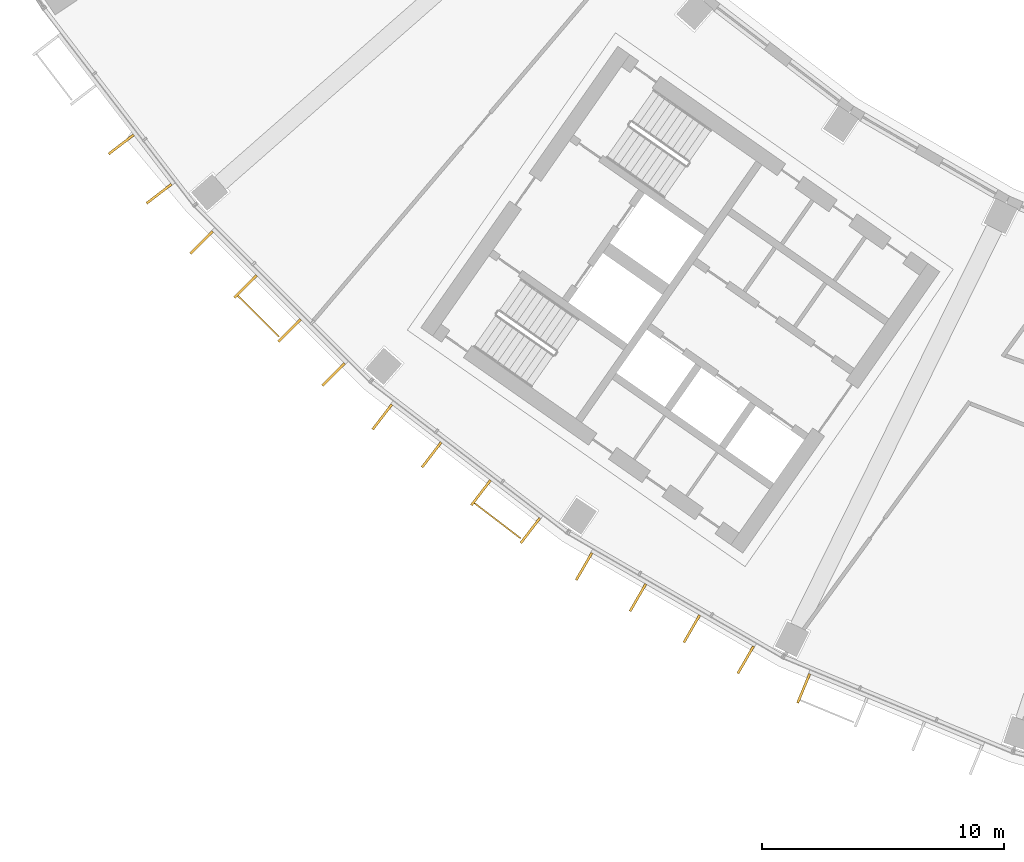
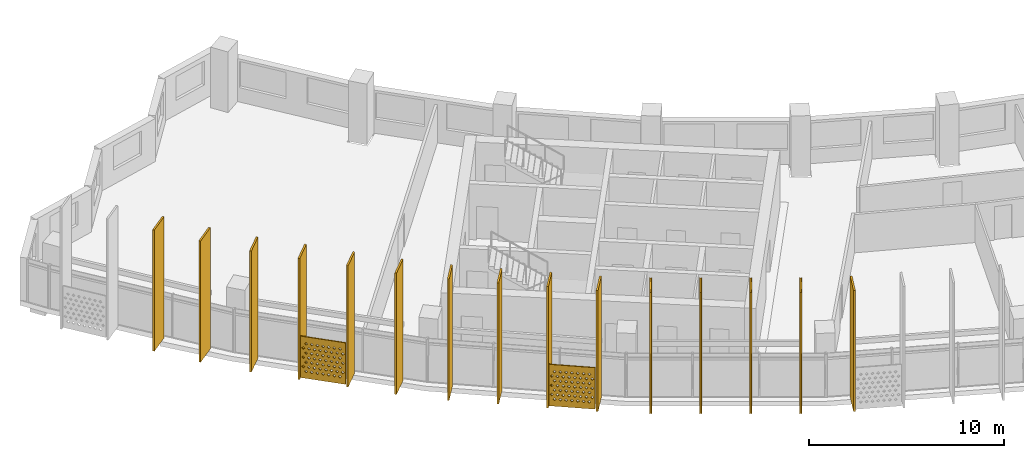
# One storey, part 22 of 30: 17 shading devices.
"""IFC4 building model written with IfcOpenShell, lengths in metres."""

import ifcopenshell
import ifcopenshell.guid

model = None  # the IFC model being written
_history = None  # IfcOwnerHistory: only IFC2X3 demands one
_inside = {}  # id of a spatial element -> (the spatial element, [elements in it])
_under = {}  # id of a project, library or spatial element -> (it, [spatial elements below it])
_declared = {}  # id of a project -> (the project, [libraries it declares])
_typed = {}  # id of a type object -> (the type object, [elements of that type])
_made_of = {}  # id of a material, layer set ... -> (it, [elements and type objects made of it])


def new_model(schema):
    """Start an empty IFC model of exactly this schema.

    Asked for "IFC4X3", IfcOpenShell would pick the latest addendum, in which some entities
    have other attributes; the version numbers below select the first issue.
    IFC2X3 requires an IfcOwnerHistory on every rooted entity: one is made here for all.
    """
    global model, _history
    if schema == "IFC4X3":
        model = ifcopenshell.file(schema_version=(4, 3, 0, 0))
    else:
        model = ifcopenshell.file(schema=schema)
    _inside.clear()
    _under.clear()
    _declared.clear()
    _typed.clear()
    _made_of.clear()
    _history = None
    if model.schema == "IFC2X3":
        org = make("IfcOrganization", Name="unknown")
        user = make(
            "IfcPersonAndOrganization",
            ThePerson=make("IfcPerson", FamilyName="unknown"),
            TheOrganization=org,
        )
        app = make(
            "IfcApplication",
            ApplicationDeveloper=org,
            Version="unknown",
            ApplicationFullName="unknown",
            ApplicationIdentifier="unknown",
        )
        _history = make(
            "IfcOwnerHistory",
            OwningUser=user,
            OwningApplication=app,
            ChangeAction="ADDED",
            CreationDate=0,
        )
    return model


def make(cls, **values):
    """One entity of the class cls with the attributes given. An attribute that is None is left unset."""
    return model.create_entity(
        cls, **{name: value for name, value in values.items() if value is not None}
    )


def rooted(cls, **values):
    """An entity with a GlobalId (a new one), such as an element, a storey or a relation."""
    return make(cls, GlobalId=ifcopenshell.guid.new(), OwnerHistory=_history, **values)


def si_unit(unit_type, name, prefix=None):
    """IfcSIUnit, for example si_unit("LENGTHUNIT", "METRE", prefix="MILLI")."""
    return make("IfcSIUnit", UnitType=unit_type, Prefix=prefix, Name=name)


def assignment(units):
    """IfcUnitAssignment: the units of a project."""
    return None if units is None else make("IfcUnitAssignment", Units=units)


def point(xyz):
    """IfcCartesianPoint."""
    return None if xyz is None else make("IfcCartesianPoint", Coordinates=xyz)


def direction(xyz):
    """IfcDirection."""
    return None if xyz is None else make("IfcDirection", DirectionRatios=xyz)


def frame(location, z_axis=None, x_axis=None):
    """IfcAxis2Placement3D, a coordinate frame: its origin and axes. An axis left out is left unset."""
    return make(
        "IfcAxis2Placement3D",
        Location=point(location),
        Axis=direction(z_axis),
        RefDirection=direction(x_axis),
    )


def frame_2d(location, x_axis=None):
    """IfcAxis2Placement2D, a coordinate frame in the plane: its origin and x axis."""
    return make(
        "IfcAxis2Placement2D", Location=point(location), RefDirection=direction(x_axis)
    )


def origin():
    """The frame at (0, 0, 0) with its axes left unset."""
    return frame((0.0, 0.0, 0.0))


def origin_2d():
    """The frame at (0, 0) in the plane with its x axis left unset."""
    return frame_2d((0.0, 0.0))


def place(relative_to, where):
    """IfcLocalPlacement: puts the frame where relative to a parent placement (None: the world)."""
    return make(
        "IfcLocalPlacement", PlacementRelTo=relative_to, RelativePlacement=where
    )


def context(
    kind, dimensions, precision=None, world=None, true_north=None, identifier=None
):
    """IfcGeometricRepresentationContext, for example the 3D "Model" context."""
    return make(
        "IfcGeometricRepresentationContext",
        ContextIdentifier=identifier,
        ContextType=kind,
        CoordinateSpaceDimension=dimensions,
        Precision=precision,
        WorldCoordinateSystem=world,
        TrueNorth=true_north,
    )


def subcontext(parent, identifier, kind, view, scale=None):
    """IfcGeometricRepresentationSubContext, for example "Body" below "Model"."""
    return make(
        "IfcGeometricRepresentationSubContext",
        ContextIdentifier=identifier,
        ContextType=kind,
        ParentContext=parent,
        TargetScale=scale,
        TargetView=view,
    )


def project(units=None, contexts=None):
    """IfcProject with its units and contexts."""
    return rooted(
        "IfcProject",
        Name="project",
        RepresentationContexts=contexts,
        UnitsInContext=assignment(units),
    )


def spatial(cls, under=None, at=None, **own):
    """A site, building, storey or space (cls), placed at a placement, below another one or the project."""
    s = rooted(cls, ObjectPlacement=at, **own)
    if under is not None:
        _under.setdefault(under.id(), (under, []))[1].append(s)
    return s


def polyline(points):
    """IfcPolyline through the points."""
    return make("IfcPolyline", Points=[point(p) for p in points])


def profile(cls, at=None, kind="AREA", **sizes):
    """A parametric profile (cls). Its sizes go by their IFC names, for example OverallWidth=200.0."""
    return make(cls, ProfileType=kind, Position=at, **sizes)


def rectangle(**sizes):
    """IfcRectangleProfileDef."""
    return profile("IfcRectangleProfileDef", **sizes)


def outline(outer, holes=None, kind="AREA"):
    """IfcArbitraryClosedProfileDef: a profile drawn as a closed curve; with holes, ...WithVoids."""
    if holes is None:
        return make("IfcArbitraryClosedProfileDef", ProfileType=kind, OuterCurve=outer)
    return make(
        "IfcArbitraryProfileDefWithVoids",
        ProfileType=kind,
        OuterCurve=outer,
        InnerCurves=holes,
    )


def extrude(swept, where, along, depth):
    """IfcExtrudedAreaSolid: the profile swept, set in the frame where, extruded along a direction by depth."""
    return make(
        "IfcExtrudedAreaSolid",
        SweptArea=swept,
        Position=where,
        ExtrudedDirection=direction(along),
        Depth=depth,
    )


def shape(context_of_items, identifier, shape_type, items):
    """IfcShapeRepresentation: the items that make up one representation, for example the "Body"."""
    return make(
        "IfcShapeRepresentation",
        ContextOfItems=context_of_items,
        RepresentationIdentifier=identifier,
        RepresentationType=shape_type,
        Items=items,
    )


def material(Name=None, Category=None):
    """IfcMaterial."""
    return make("IfcMaterial", Name=Name, Category=Category)


def material_profile(
    of_material, cross_section, Name=None, Category=None, Priority=None
):
    """IfcMaterialProfile: a cross section and its material."""
    return make(
        "IfcMaterialProfile",
        Name=Name,
        Material=of_material,
        Profile=cross_section,
        Priority=Priority,
        Category=Category,
    )


def profile_set(profiles, Name=None, composite=None):
    """IfcMaterialProfileSet."""
    return make(
        "IfcMaterialProfileSet",
        Name=Name,
        MaterialProfiles=profiles,
        CompositeProfile=composite,
    )


def made_of(thing, what):
    """Note that an element or type object is made of a material, layer set ...; save() writes the relation."""
    if what is not None:
        _made_of.setdefault(what.id(), (what, []))[1].append(thing)
    return thing


def type_object(cls, material=None, **own):
    """A type object (cls), such as IfcWallType, which elements share."""
    return made_of(rooted(cls, **own), material)


def element(
    cls,
    number,
    at=None,
    inside=None,
    cuts=None,
    type_object=None,
    material=None,
    context=None,
    identifier="Body",
    shape_type=None,
    held_by="IfcProductDefinitionShape",
    body=None,
    shapes=None,
    **own,
):
    """One element of the class cls, such as IfcWall. Its Tag is "e" and its number.

    at: its placement. inside: the storey or other place that contains it. cuts: it is an
    opening in that element (IfcRelVoidsElement). A single representation is given by context,
    identifier, shape_type and body (its items); several are given by shapes. held_by: the class
    of the entity that holds the representations. save() writes the other relations.
    """
    e = rooted(cls, Tag="e%d" % number, ObjectPlacement=at, **own)
    if body is not None:
        shapes = [shape(context, identifier, shape_type, body)]
    if shapes is not None:
        e.Representation = make(held_by, Representations=shapes)
    if inside is not None:
        _inside.setdefault(inside.id(), (inside, []))[1].append(e)
    if cuts is not None:
        rooted(
            "IfcRelVoidsElement", RelatingBuildingElement=cuts, RelatedOpeningElement=e
        )
    if type_object is not None:
        _typed.setdefault(type_object.id(), (type_object, []))[1].append(e)
    return made_of(e, material)


def aggregate(whole, parts):
    """IfcRelAggregates: a whole, such as a stair, and the parts it consists of."""
    return rooted("IfcRelAggregates", RelatingObject=whole, RelatedObjects=parts)


def save(model, path):
    """Write the relations noted so far, then the file.

    IfcRelAggregates (storeys below a building ...), IfcRelContainedInSpatialStructure (elements
    in a storey), IfcRelDefinesByType, IfcRelAssociatesMaterial and IfcRelDeclares: one each for
    every whole, place, type object, material and project.
    """
    for whole, parts in _under.values():
        aggregate(whole, parts)
    for where, things in _inside.values():
        rooted(
            "IfcRelContainedInSpatialStructure",
            RelatedElements=things,
            RelatingStructure=where,
        )
    for kind, things in _typed.values():
        rooted("IfcRelDefinesByType", RelatedObjects=things, RelatingType=kind)
    for what, things in _made_of.values():
        rooted("IfcRelAssociatesMaterial", RelatedObjects=things, RelatingMaterial=what)
    for by, libraries in _declared.values():
        rooted("IfcRelDeclares", RelatingContext=by, RelatedDefinitions=libraries)
    model.write(path)


model = new_model("IFC4")

# Units and contexts
model_context = context("Model", 3, precision=1e-05, world=origin(), true_north=direction((0.0, 1.0)))
body_context = subcontext(model_context, "Body", "Model", "MODEL_VIEW")
ifc_project = project(units=[si_unit("LENGTHUNIT", "METRE"), si_unit("AREAUNIT", "SQUARE_METRE"), si_unit("VOLUMEUNIT", "CUBIC_METRE"), si_unit("PLANEANGLEUNIT", "RADIAN"), si_unit("MASSUNIT", "GRAM", prefix="KILO")], contexts=[model_context])

# Site, building, storey
site_placement = place(None, origin())
site = spatial("IfcSite", under=ifc_project, at=site_placement, CompositionType="ELEMENT")
building_placement = place(site_placement, origin())
building = spatial("IfcBuilding", under=site, at=building_placement, Name="Qamariyya Broadcast Tower", CompositionType="ELEMENT")
storey_placement = place(building_placement, frame((0.0, 0.0, 203.699951171875)))
storey = spatial("IfcBuildingStorey", under=building, at=storey_placement, Name="L48", CompositionType="ELEMENT", Elevation=203.699951171875)

# Shading devices
ifc_material_1 = material(Name="Perforated glazed terracotta", Category="masonry")
ifc_material_profile_1 = material_profile(ifc_material_1, outline(polyline([(-1.199951171875, -1.300048828125), (1.199951171875, -1.300048828125), (1.199951171875, 1.300048828125), (-1.199951171875, 1.300048828125), (-1.199951171875, -1.300048828125)]), holes=[polyline([(-0.81494140625, -0.86669921875), (-0.89990234375, -0.78173828125), (-0.985107421875, -0.86669921875), (-0.89990234375, -0.95166015625), (-0.81494140625, -0.86669921875)]), polyline([(-0.514892578125, -0.86669921875), (-0.60009765625, -0.78173828125), (-0.68505859375, -0.86669921875), (-0.60009765625, -0.95166015625), (-0.514892578125, -0.86669921875)]), polyline([(-0.215087890625, -0.86669921875), (-0.300048828125, -0.78173828125), (-0.385009765625, -0.86669921875), (-0.300048828125, -0.95166015625), (-0.215087890625, -0.86669921875)]), polyline([(0.0849609375, -0.86669921875), (0.0, -0.78173828125), (-0.0849609375, -0.86669921875), (0.0, -0.95166015625), (0.0849609375, -0.86669921875)]), polyline([(0.385009765625, -0.86669921875), (0.300048828125, -0.78173828125), (0.215087890625, -0.86669921875), (0.300048828125, -0.95166015625), (0.385009765625, -0.86669921875)]), polyline([(0.68505859375, -0.86669921875), (0.60009765625, -0.78173828125), (0.514892578125, -0.86669921875), (0.60009765625, -0.95166015625), (0.68505859375, -0.86669921875)]), polyline([(0.985107421875, -0.86669921875), (0.89990234375, -0.78173828125), (0.81494140625, -0.86669921875), (0.89990234375, -0.95166015625), (0.985107421875, -0.86669921875)]), polyline([(-0.965087890625, -0.577880859375), (-1.050048828125, -0.49267578125), (-1.135009765625, -0.577880859375), (-1.050048828125, -0.662841796875), (-0.965087890625, -0.577880859375)]), polyline([(-0.6650390625, -0.577880859375), (-0.75, -0.49267578125), (-0.8349609375, -0.577880859375), (-0.75, -0.662841796875), (-0.6650390625, -0.577880859375)]), polyline([(-0.364990234375, -0.577880859375), (-0.449951171875, -0.49267578125), (-0.534912109375, -0.577880859375), (-0.449951171875, -0.662841796875), (-0.364990234375, -0.577880859375)]), polyline([(-0.06494140625, -0.577880859375), (-0.14990234375, -0.49267578125), (-0.235107421875, -0.577880859375), (-0.14990234375, -0.662841796875), (-0.06494140625, -0.577880859375)]), polyline([(0.235107421875, -0.577880859375), (0.14990234375, -0.49267578125), (0.06494140625, -0.577880859375), (0.14990234375, -0.662841796875), (0.235107421875, -0.577880859375)]), polyline([(0.534912109375, -0.577880859375), (0.449951171875, -0.49267578125), (0.364990234375, -0.577880859375), (0.449951171875, -0.662841796875), (0.534912109375, -0.577880859375)]), polyline([(0.8349609375, -0.577880859375), (0.75, -0.49267578125), (0.6650390625, -0.577880859375), (0.75, -0.662841796875), (0.8349609375, -0.577880859375)]), polyline([(1.135009765625, -0.577880859375), (1.050048828125, -0.49267578125), (0.965087890625, -0.577880859375), (1.050048828125, -0.662841796875), (1.135009765625, -0.577880859375)]), polyline([(-0.81494140625, -0.288818359375), (-0.89990234375, -0.203857421875), (-0.985107421875, -0.288818359375), (-0.89990234375, -0.373779296875), (-0.81494140625, -0.288818359375)]), polyline([(-0.514892578125, -0.288818359375), (-0.60009765625, -0.203857421875), (-0.68505859375, -0.288818359375), (-0.60009765625, -0.373779296875), (-0.514892578125, -0.288818359375)]), polyline([(-0.215087890625, -0.288818359375), (-0.300048828125, -0.203857421875), (-0.385009765625, -0.288818359375), (-0.300048828125, -0.373779296875), (-0.215087890625, -0.288818359375)]), polyline([(0.0849609375, -0.288818359375), (0.0, -0.203857421875), (-0.0849609375, -0.288818359375), (0.0, -0.373779296875), (0.0849609375, -0.288818359375)]), polyline([(0.385009765625, -0.288818359375), (0.300048828125, -0.203857421875), (0.215087890625, -0.288818359375), (0.300048828125, -0.373779296875), (0.385009765625, -0.288818359375)]), polyline([(0.68505859375, -0.288818359375), (0.60009765625, -0.203857421875), (0.514892578125, -0.288818359375), (0.60009765625, -0.373779296875), (0.68505859375, -0.288818359375)]), polyline([(0.985107421875, -0.288818359375), (0.89990234375, -0.203857421875), (0.81494140625, -0.288818359375), (0.89990234375, -0.373779296875), (0.985107421875, -0.288818359375)]), polyline([(-0.965087890625, 0.0), (-1.050048828125, 0.0849609375), (-1.135009765625, 0.0), (-1.050048828125, -0.0849609375), (-0.965087890625, 0.0)]), polyline([(-0.6650390625, 0.0), (-0.75, 0.0849609375), (-0.8349609375, 0.0), (-0.75, -0.0849609375), (-0.6650390625, 0.0)]), polyline([(-0.364990234375, 0.0), (-0.449951171875, 0.0849609375), (-0.534912109375, 0.0), (-0.449951171875, -0.0849609375), (-0.364990234375, 0.0)]), polyline([(-0.06494140625, 0.0), (-0.14990234375, 0.0849609375), (-0.235107421875, 0.0), (-0.14990234375, -0.0849609375), (-0.06494140625, 0.0)]), polyline([(0.235107421875, 0.0), (0.14990234375, 0.0849609375), (0.06494140625, 0.0), (0.14990234375, -0.0849609375), (0.235107421875, 0.0)]), polyline([(0.534912109375, 0.0), (0.449951171875, 0.0849609375), (0.364990234375, 0.0), (0.449951171875, -0.0849609375), (0.534912109375, 0.0)]), polyline([(0.8349609375, 0.0), (0.75, 0.0849609375), (0.6650390625, 0.0), (0.75, -0.0849609375), (0.8349609375, 0.0)]), polyline([(1.135009765625, 0.0), (1.050048828125, 0.0849609375), (0.965087890625, 0.0), (1.050048828125, -0.0849609375), (1.135009765625, 0.0)]), polyline([(-0.81494140625, 0.288818359375), (-0.89990234375, 0.373779296875), (-0.985107421875, 0.288818359375), (-0.89990234375, 0.203857421875), (-0.81494140625, 0.288818359375)]), polyline([(-0.514892578125, 0.288818359375), (-0.60009765625, 0.373779296875), (-0.68505859375, 0.288818359375), (-0.60009765625, 0.203857421875), (-0.514892578125, 0.288818359375)]), polyline([(-0.215087890625, 0.288818359375), (-0.300048828125, 0.373779296875), (-0.385009765625, 0.288818359375), (-0.300048828125, 0.203857421875), (-0.215087890625, 0.288818359375)]), polyline([(0.0849609375, 0.288818359375), (0.0, 0.373779296875), (-0.0849609375, 0.288818359375), (0.0, 0.203857421875), (0.0849609375, 0.288818359375)]), polyline([(0.385009765625, 0.288818359375), (0.300048828125, 0.373779296875), (0.215087890625, 0.288818359375), (0.300048828125, 0.203857421875), (0.385009765625, 0.288818359375)]), polyline([(0.68505859375, 0.288818359375), (0.60009765625, 0.373779296875), (0.514892578125, 0.288818359375), (0.60009765625, 0.203857421875), (0.68505859375, 0.288818359375)]), polyline([(0.985107421875, 0.288818359375), (0.89990234375, 0.373779296875), (0.81494140625, 0.288818359375), (0.89990234375, 0.203857421875), (0.985107421875, 0.288818359375)]), polyline([(-0.965087890625, 0.577880859375), (-1.050048828125, 0.662841796875), (-1.135009765625, 0.577880859375), (-1.050048828125, 0.49267578125), (-0.965087890625, 0.577880859375)]), polyline([(-0.6650390625, 0.577880859375), (-0.75, 0.662841796875), (-0.8349609375, 0.577880859375), (-0.75, 0.49267578125), (-0.6650390625, 0.577880859375)]), polyline([(-0.364990234375, 0.577880859375), (-0.449951171875, 0.662841796875), (-0.534912109375, 0.577880859375), (-0.449951171875, 0.49267578125), (-0.364990234375, 0.577880859375)]), polyline([(-0.06494140625, 0.577880859375), (-0.14990234375, 0.662841796875), (-0.235107421875, 0.577880859375), (-0.14990234375, 0.49267578125), (-0.06494140625, 0.577880859375)]), polyline([(0.235107421875, 0.577880859375), (0.14990234375, 0.662841796875), (0.06494140625, 0.577880859375), (0.14990234375, 0.49267578125), (0.235107421875, 0.577880859375)]), polyline([(0.534912109375, 0.577880859375), (0.449951171875, 0.662841796875), (0.364990234375, 0.577880859375), (0.449951171875, 0.49267578125), (0.534912109375, 0.577880859375)]), polyline([(0.8349609375, 0.577880859375), (0.75, 0.662841796875), (0.6650390625, 0.577880859375), (0.75, 0.49267578125), (0.8349609375, 0.577880859375)]), polyline([(1.135009765625, 0.577880859375), (1.050048828125, 0.662841796875), (0.965087890625, 0.577880859375), (1.050048828125, 0.49267578125), (1.135009765625, 0.577880859375)]), polyline([(-0.81494140625, 0.86669921875), (-0.89990234375, 0.95166015625), (-0.985107421875, 0.86669921875), (-0.89990234375, 0.78173828125), (-0.81494140625, 0.86669921875)]), polyline([(-0.514892578125, 0.86669921875), (-0.60009765625, 0.95166015625), (-0.68505859375, 0.86669921875), (-0.60009765625, 0.78173828125), (-0.514892578125, 0.86669921875)]), polyline([(-0.215087890625, 0.86669921875), (-0.300048828125, 0.95166015625), (-0.385009765625, 0.86669921875), (-0.300048828125, 0.78173828125), (-0.215087890625, 0.86669921875)]), polyline([(0.0849609375, 0.86669921875), (0.0, 0.95166015625), (-0.0849609375, 0.86669921875), (0.0, 0.78173828125), (0.0849609375, 0.86669921875)]), polyline([(0.385009765625, 0.86669921875), (0.300048828125, 0.95166015625), (0.215087890625, 0.86669921875), (0.300048828125, 0.78173828125), (0.385009765625, 0.86669921875)]), polyline([(0.68505859375, 0.86669921875), (0.60009765625, 0.95166015625), (0.514892578125, 0.86669921875), (0.60009765625, 0.78173828125), (0.68505859375, 0.86669921875)]), polyline([(0.985107421875, 0.86669921875), (0.89990234375, 0.95166015625), (0.81494140625, 0.86669921875), (0.89990234375, 0.78173828125), (0.985107421875, 0.86669921875)])]))
ifc_profile_set_1 = profile_set([ifc_material_profile_1], Name="Perforated glazed terracotta")
shading_device_type_1 = type_object("IfcShadingDeviceType", Name="Perforated terracotta screen 2400 x 2600", PredefinedType="USERDEFINED", material=ifc_profile_set_1)
shading_device_1_placement = place(storey_placement, frame((-56.41845703125, -56.367431640625, 1.35009765625), z_axis=(-0.705066081692, -0.709141608176, 0.0), x_axis=(0.709141608176, -0.705066081692, 0.0)))
element("IfcShadingDevice", 1, at=shading_device_1_placement, inside=storey, type_object=shading_device_type_1, Name="e-scr-L48-02-1", ObjectType="SCREEN", PredefinedType="USERDEFINED", context=body_context, shape_type="SweptSolid", body=[
    extrude(outline(polyline([(-1.199951171875, -1.300048828125), (1.199951171875, -1.300048828125), (1.199951171875, 1.300048828125), (-1.199951171875, 1.300048828125), (-1.199951171875, -1.300048828125)]), holes=[polyline([(-0.81494140625, -0.86669921875), (-0.89990234375, -0.78173828125), (-0.985107421875, -0.86669921875), (-0.89990234375, -0.95166015625), (-0.81494140625, -0.86669921875)]), polyline([(-0.514892578125, -0.86669921875), (-0.60009765625, -0.78173828125), (-0.68505859375, -0.86669921875), (-0.60009765625, -0.95166015625), (-0.514892578125, -0.86669921875)]), polyline([(-0.215087890625, -0.86669921875), (-0.300048828125, -0.78173828125), (-0.385009765625, -0.86669921875), (-0.300048828125, -0.95166015625), (-0.215087890625, -0.86669921875)]), polyline([(0.0849609375, -0.86669921875), (0.0, -0.78173828125), (-0.0849609375, -0.86669921875), (0.0, -0.95166015625), (0.0849609375, -0.86669921875)]), polyline([(0.385009765625, -0.86669921875), (0.300048828125, -0.78173828125), (0.215087890625, -0.86669921875), (0.300048828125, -0.95166015625), (0.385009765625, -0.86669921875)]), polyline([(0.68505859375, -0.86669921875), (0.60009765625, -0.78173828125), (0.514892578125, -0.86669921875), (0.60009765625, -0.95166015625), (0.68505859375, -0.86669921875)]), polyline([(0.985107421875, -0.86669921875), (0.89990234375, -0.78173828125), (0.81494140625, -0.86669921875), (0.89990234375, -0.95166015625), (0.985107421875, -0.86669921875)]), polyline([(-0.965087890625, -0.577880859375), (-1.050048828125, -0.49267578125), (-1.135009765625, -0.577880859375), (-1.050048828125, -0.662841796875), (-0.965087890625, -0.577880859375)]), polyline([(-0.6650390625, -0.577880859375), (-0.75, -0.49267578125), (-0.8349609375, -0.577880859375), (-0.75, -0.662841796875), (-0.6650390625, -0.577880859375)]), polyline([(-0.364990234375, -0.577880859375), (-0.449951171875, -0.49267578125), (-0.534912109375, -0.577880859375), (-0.449951171875, -0.662841796875), (-0.364990234375, -0.577880859375)]), polyline([(-0.06494140625, -0.577880859375), (-0.14990234375, -0.49267578125), (-0.235107421875, -0.577880859375), (-0.14990234375, -0.662841796875), (-0.06494140625, -0.577880859375)]), polyline([(0.235107421875, -0.577880859375), (0.14990234375, -0.49267578125), (0.06494140625, -0.577880859375), (0.14990234375, -0.662841796875), (0.235107421875, -0.577880859375)]), polyline([(0.534912109375, -0.577880859375), (0.449951171875, -0.49267578125), (0.364990234375, -0.577880859375), (0.449951171875, -0.662841796875), (0.534912109375, -0.577880859375)]), polyline([(0.8349609375, -0.577880859375), (0.75, -0.49267578125), (0.6650390625, -0.577880859375), (0.75, -0.662841796875), (0.8349609375, -0.577880859375)]), polyline([(1.135009765625, -0.577880859375), (1.050048828125, -0.49267578125), (0.965087890625, -0.577880859375), (1.050048828125, -0.662841796875), (1.135009765625, -0.577880859375)]), polyline([(-0.81494140625, -0.288818359375), (-0.89990234375, -0.203857421875), (-0.985107421875, -0.288818359375), (-0.89990234375, -0.373779296875), (-0.81494140625, -0.288818359375)]), polyline([(-0.514892578125, -0.288818359375), (-0.60009765625, -0.203857421875), (-0.68505859375, -0.288818359375), (-0.60009765625, -0.373779296875), (-0.514892578125, -0.288818359375)]), polyline([(-0.215087890625, -0.288818359375), (-0.300048828125, -0.203857421875), (-0.385009765625, -0.288818359375), (-0.300048828125, -0.373779296875), (-0.215087890625, -0.288818359375)]), polyline([(0.0849609375, -0.288818359375), (0.0, -0.203857421875), (-0.0849609375, -0.288818359375), (0.0, -0.373779296875), (0.0849609375, -0.288818359375)]), polyline([(0.385009765625, -0.288818359375), (0.300048828125, -0.203857421875), (0.215087890625, -0.288818359375), (0.300048828125, -0.373779296875), (0.385009765625, -0.288818359375)]), polyline([(0.68505859375, -0.288818359375), (0.60009765625, -0.203857421875), (0.514892578125, -0.288818359375), (0.60009765625, -0.373779296875), (0.68505859375, -0.288818359375)]), polyline([(0.985107421875, -0.288818359375), (0.89990234375, -0.203857421875), (0.81494140625, -0.288818359375), (0.89990234375, -0.373779296875), (0.985107421875, -0.288818359375)]), polyline([(-0.965087890625, 0.0), (-1.050048828125, 0.0849609375), (-1.135009765625, 0.0), (-1.050048828125, -0.0849609375), (-0.965087890625, 0.0)]), polyline([(-0.6650390625, 0.0), (-0.75, 0.0849609375), (-0.8349609375, 0.0), (-0.75, -0.0849609375), (-0.6650390625, 0.0)]), polyline([(-0.364990234375, 0.0), (-0.449951171875, 0.0849609375), (-0.534912109375, 0.0), (-0.449951171875, -0.0849609375), (-0.364990234375, 0.0)]), polyline([(-0.06494140625, 0.0), (-0.14990234375, 0.0849609375), (-0.235107421875, 0.0), (-0.14990234375, -0.0849609375), (-0.06494140625, 0.0)]), polyline([(0.235107421875, 0.0), (0.14990234375, 0.0849609375), (0.06494140625, 0.0), (0.14990234375, -0.0849609375), (0.235107421875, 0.0)]), polyline([(0.534912109375, 0.0), (0.449951171875, 0.0849609375), (0.364990234375, 0.0), (0.449951171875, -0.0849609375), (0.534912109375, 0.0)]), polyline([(0.8349609375, 0.0), (0.75, 0.0849609375), (0.6650390625, 0.0), (0.75, -0.0849609375), (0.8349609375, 0.0)]), polyline([(1.135009765625, 0.0), (1.050048828125, 0.0849609375), (0.965087890625, 0.0), (1.050048828125, -0.0849609375), (1.135009765625, 0.0)]), polyline([(-0.81494140625, 0.288818359375), (-0.89990234375, 0.373779296875), (-0.985107421875, 0.288818359375), (-0.89990234375, 0.203857421875), (-0.81494140625, 0.288818359375)]), polyline([(-0.514892578125, 0.288818359375), (-0.60009765625, 0.373779296875), (-0.68505859375, 0.288818359375), (-0.60009765625, 0.203857421875), (-0.514892578125, 0.288818359375)]), polyline([(-0.215087890625, 0.288818359375), (-0.300048828125, 0.373779296875), (-0.385009765625, 0.288818359375), (-0.300048828125, 0.203857421875), (-0.215087890625, 0.288818359375)]), polyline([(0.0849609375, 0.288818359375), (0.0, 0.373779296875), (-0.0849609375, 0.288818359375), (0.0, 0.203857421875), (0.0849609375, 0.288818359375)]), polyline([(0.385009765625, 0.288818359375), (0.300048828125, 0.373779296875), (0.215087890625, 0.288818359375), (0.300048828125, 0.203857421875), (0.385009765625, 0.288818359375)]), polyline([(0.68505859375, 0.288818359375), (0.60009765625, 0.373779296875), (0.514892578125, 0.288818359375), (0.60009765625, 0.203857421875), (0.68505859375, 0.288818359375)]), polyline([(0.985107421875, 0.288818359375), (0.89990234375, 0.373779296875), (0.81494140625, 0.288818359375), (0.89990234375, 0.203857421875), (0.985107421875, 0.288818359375)]), polyline([(-0.965087890625, 0.577880859375), (-1.050048828125, 0.662841796875), (-1.135009765625, 0.577880859375), (-1.050048828125, 0.49267578125), (-0.965087890625, 0.577880859375)]), polyline([(-0.6650390625, 0.577880859375), (-0.75, 0.662841796875), (-0.8349609375, 0.577880859375), (-0.75, 0.49267578125), (-0.6650390625, 0.577880859375)]), polyline([(-0.364990234375, 0.577880859375), (-0.449951171875, 0.662841796875), (-0.534912109375, 0.577880859375), (-0.449951171875, 0.49267578125), (-0.364990234375, 0.577880859375)]), polyline([(-0.06494140625, 0.577880859375), (-0.14990234375, 0.662841796875), (-0.235107421875, 0.577880859375), (-0.14990234375, 0.49267578125), (-0.06494140625, 0.577880859375)]), polyline([(0.235107421875, 0.577880859375), (0.14990234375, 0.662841796875), (0.06494140625, 0.577880859375), (0.14990234375, 0.49267578125), (0.235107421875, 0.577880859375)]), polyline([(0.534912109375, 0.577880859375), (0.449951171875, 0.662841796875), (0.364990234375, 0.577880859375), (0.449951171875, 0.49267578125), (0.534912109375, 0.577880859375)]), polyline([(0.8349609375, 0.577880859375), (0.75, 0.662841796875), (0.6650390625, 0.577880859375), (0.75, 0.49267578125), (0.8349609375, 0.577880859375)]), polyline([(1.135009765625, 0.577880859375), (1.050048828125, 0.662841796875), (0.965087890625, 0.577880859375), (1.050048828125, 0.49267578125), (1.135009765625, 0.577880859375)]), polyline([(-0.81494140625, 0.86669921875), (-0.89990234375, 0.95166015625), (-0.985107421875, 0.86669921875), (-0.89990234375, 0.78173828125), (-0.81494140625, 0.86669921875)]), polyline([(-0.514892578125, 0.86669921875), (-0.60009765625, 0.95166015625), (-0.68505859375, 0.86669921875), (-0.60009765625, 0.78173828125), (-0.514892578125, 0.86669921875)]), polyline([(-0.215087890625, 0.86669921875), (-0.300048828125, 0.95166015625), (-0.385009765625, 0.86669921875), (-0.300048828125, 0.78173828125), (-0.215087890625, 0.86669921875)]), polyline([(0.0849609375, 0.86669921875), (0.0, 0.95166015625), (-0.0849609375, 0.86669921875), (0.0, 0.78173828125), (0.0849609375, 0.86669921875)]), polyline([(0.385009765625, 0.86669921875), (0.300048828125, 0.95166015625), (0.215087890625, 0.86669921875), (0.300048828125, 0.78173828125), (0.385009765625, 0.86669921875)]), polyline([(0.68505859375, 0.86669921875), (0.60009765625, 0.95166015625), (0.514892578125, 0.86669921875), (0.60009765625, 0.78173828125), (0.68505859375, 0.86669921875)]), polyline([(0.985107421875, 0.86669921875), (0.89990234375, 0.95166015625), (0.81494140625, 0.86669921875), (0.89990234375, 0.78173828125), (0.985107421875, 0.86669921875)])]), origin(), (0.0, 0.0, 1.0), 0.059814453125),
])
shading_device_2_placement = place(storey_placement, frame((-46.537841796875, -64.81494140625, 1.35009765625), z_axis=(-0.607147566278, -0.794589096806, 0.0), x_axis=(0.794589096806, -0.607147566278, 0.0)))
element("IfcShadingDevice", 2, at=shading_device_2_placement, inside=storey, type_object=shading_device_type_1, Name="e-scr-L48-03-2", ObjectType="SCREEN", PredefinedType="USERDEFINED", context=body_context, shape_type="SweptSolid", body=[
    extrude(outline(polyline([(-1.199951171875, -1.300048828125), (1.199951171875, -1.300048828125), (1.199951171875, 1.300048828125), (-1.199951171875, 1.300048828125), (-1.199951171875, -1.300048828125)]), holes=[polyline([(-0.81494140625, -0.86669921875), (-0.89990234375, -0.78173828125), (-0.985107421875, -0.86669921875), (-0.89990234375, -0.95166015625), (-0.81494140625, -0.86669921875)]), polyline([(-0.514892578125, -0.86669921875), (-0.60009765625, -0.78173828125), (-0.68505859375, -0.86669921875), (-0.60009765625, -0.95166015625), (-0.514892578125, -0.86669921875)]), polyline([(-0.215087890625, -0.86669921875), (-0.300048828125, -0.78173828125), (-0.385009765625, -0.86669921875), (-0.300048828125, -0.95166015625), (-0.215087890625, -0.86669921875)]), polyline([(0.0849609375, -0.86669921875), (0.0, -0.78173828125), (-0.0849609375, -0.86669921875), (0.0, -0.95166015625), (0.0849609375, -0.86669921875)]), polyline([(0.385009765625, -0.86669921875), (0.300048828125, -0.78173828125), (0.215087890625, -0.86669921875), (0.300048828125, -0.95166015625), (0.385009765625, -0.86669921875)]), polyline([(0.68505859375, -0.86669921875), (0.60009765625, -0.78173828125), (0.514892578125, -0.86669921875), (0.60009765625, -0.95166015625), (0.68505859375, -0.86669921875)]), polyline([(0.985107421875, -0.86669921875), (0.89990234375, -0.78173828125), (0.81494140625, -0.86669921875), (0.89990234375, -0.95166015625), (0.985107421875, -0.86669921875)]), polyline([(-0.965087890625, -0.577880859375), (-1.050048828125, -0.49267578125), (-1.135009765625, -0.577880859375), (-1.050048828125, -0.662841796875), (-0.965087890625, -0.577880859375)]), polyline([(-0.6650390625, -0.577880859375), (-0.75, -0.49267578125), (-0.8349609375, -0.577880859375), (-0.75, -0.662841796875), (-0.6650390625, -0.577880859375)]), polyline([(-0.364990234375, -0.577880859375), (-0.449951171875, -0.49267578125), (-0.534912109375, -0.577880859375), (-0.449951171875, -0.662841796875), (-0.364990234375, -0.577880859375)]), polyline([(-0.06494140625, -0.577880859375), (-0.14990234375, -0.49267578125), (-0.235107421875, -0.577880859375), (-0.14990234375, -0.662841796875), (-0.06494140625, -0.577880859375)]), polyline([(0.235107421875, -0.577880859375), (0.14990234375, -0.49267578125), (0.06494140625, -0.577880859375), (0.14990234375, -0.662841796875), (0.235107421875, -0.577880859375)]), polyline([(0.534912109375, -0.577880859375), (0.449951171875, -0.49267578125), (0.364990234375, -0.577880859375), (0.449951171875, -0.662841796875), (0.534912109375, -0.577880859375)]), polyline([(0.8349609375, -0.577880859375), (0.75, -0.49267578125), (0.6650390625, -0.577880859375), (0.75, -0.662841796875), (0.8349609375, -0.577880859375)]), polyline([(1.135009765625, -0.577880859375), (1.050048828125, -0.49267578125), (0.965087890625, -0.577880859375), (1.050048828125, -0.662841796875), (1.135009765625, -0.577880859375)]), polyline([(-0.81494140625, -0.288818359375), (-0.89990234375, -0.203857421875), (-0.985107421875, -0.288818359375), (-0.89990234375, -0.373779296875), (-0.81494140625, -0.288818359375)]), polyline([(-0.514892578125, -0.288818359375), (-0.60009765625, -0.203857421875), (-0.68505859375, -0.288818359375), (-0.60009765625, -0.373779296875), (-0.514892578125, -0.288818359375)]), polyline([(-0.215087890625, -0.288818359375), (-0.300048828125, -0.203857421875), (-0.385009765625, -0.288818359375), (-0.300048828125, -0.373779296875), (-0.215087890625, -0.288818359375)]), polyline([(0.0849609375, -0.288818359375), (0.0, -0.203857421875), (-0.0849609375, -0.288818359375), (0.0, -0.373779296875), (0.0849609375, -0.288818359375)]), polyline([(0.385009765625, -0.288818359375), (0.300048828125, -0.203857421875), (0.215087890625, -0.288818359375), (0.300048828125, -0.373779296875), (0.385009765625, -0.288818359375)]), polyline([(0.68505859375, -0.288818359375), (0.60009765625, -0.203857421875), (0.514892578125, -0.288818359375), (0.60009765625, -0.373779296875), (0.68505859375, -0.288818359375)]), polyline([(0.985107421875, -0.288818359375), (0.89990234375, -0.203857421875), (0.81494140625, -0.288818359375), (0.89990234375, -0.373779296875), (0.985107421875, -0.288818359375)]), polyline([(-0.965087890625, 0.0), (-1.050048828125, 0.0849609375), (-1.135009765625, 0.0), (-1.050048828125, -0.0849609375), (-0.965087890625, 0.0)]), polyline([(-0.6650390625, 0.0), (-0.75, 0.0849609375), (-0.8349609375, 0.0), (-0.75, -0.0849609375), (-0.6650390625, 0.0)]), polyline([(-0.364990234375, 0.0), (-0.449951171875, 0.0849609375), (-0.534912109375, 0.0), (-0.449951171875, -0.0849609375), (-0.364990234375, 0.0)]), polyline([(-0.06494140625, 0.0), (-0.14990234375, 0.0849609375), (-0.235107421875, 0.0), (-0.14990234375, -0.0849609375), (-0.06494140625, 0.0)]), polyline([(0.235107421875, 0.0), (0.14990234375, 0.0849609375), (0.06494140625, 0.0), (0.14990234375, -0.0849609375), (0.235107421875, 0.0)]), polyline([(0.534912109375, 0.0), (0.449951171875, 0.0849609375), (0.364990234375, 0.0), (0.449951171875, -0.0849609375), (0.534912109375, 0.0)]), polyline([(0.8349609375, 0.0), (0.75, 0.0849609375), (0.6650390625, 0.0), (0.75, -0.0849609375), (0.8349609375, 0.0)]), polyline([(1.135009765625, 0.0), (1.050048828125, 0.0849609375), (0.965087890625, 0.0), (1.050048828125, -0.0849609375), (1.135009765625, 0.0)]), polyline([(-0.81494140625, 0.288818359375), (-0.89990234375, 0.373779296875), (-0.985107421875, 0.288818359375), (-0.89990234375, 0.203857421875), (-0.81494140625, 0.288818359375)]), polyline([(-0.514892578125, 0.288818359375), (-0.60009765625, 0.373779296875), (-0.68505859375, 0.288818359375), (-0.60009765625, 0.203857421875), (-0.514892578125, 0.288818359375)]), polyline([(-0.215087890625, 0.288818359375), (-0.300048828125, 0.373779296875), (-0.385009765625, 0.288818359375), (-0.300048828125, 0.203857421875), (-0.215087890625, 0.288818359375)]), polyline([(0.0849609375, 0.288818359375), (0.0, 0.373779296875), (-0.0849609375, 0.288818359375), (0.0, 0.203857421875), (0.0849609375, 0.288818359375)]), polyline([(0.385009765625, 0.288818359375), (0.300048828125, 0.373779296875), (0.215087890625, 0.288818359375), (0.300048828125, 0.203857421875), (0.385009765625, 0.288818359375)]), polyline([(0.68505859375, 0.288818359375), (0.60009765625, 0.373779296875), (0.514892578125, 0.288818359375), (0.60009765625, 0.203857421875), (0.68505859375, 0.288818359375)]), polyline([(0.985107421875, 0.288818359375), (0.89990234375, 0.373779296875), (0.81494140625, 0.288818359375), (0.89990234375, 0.203857421875), (0.985107421875, 0.288818359375)]), polyline([(-0.965087890625, 0.577880859375), (-1.050048828125, 0.662841796875), (-1.135009765625, 0.577880859375), (-1.050048828125, 0.49267578125), (-0.965087890625, 0.577880859375)]), polyline([(-0.6650390625, 0.577880859375), (-0.75, 0.662841796875), (-0.8349609375, 0.577880859375), (-0.75, 0.49267578125), (-0.6650390625, 0.577880859375)]), polyline([(-0.364990234375, 0.577880859375), (-0.449951171875, 0.662841796875), (-0.534912109375, 0.577880859375), (-0.449951171875, 0.49267578125), (-0.364990234375, 0.577880859375)]), polyline([(-0.06494140625, 0.577880859375), (-0.14990234375, 0.662841796875), (-0.235107421875, 0.577880859375), (-0.14990234375, 0.49267578125), (-0.06494140625, 0.577880859375)]), polyline([(0.235107421875, 0.577880859375), (0.14990234375, 0.662841796875), (0.06494140625, 0.577880859375), (0.14990234375, 0.49267578125), (0.235107421875, 0.577880859375)]), polyline([(0.534912109375, 0.577880859375), (0.449951171875, 0.662841796875), (0.364990234375, 0.577880859375), (0.449951171875, 0.49267578125), (0.534912109375, 0.577880859375)]), polyline([(0.8349609375, 0.577880859375), (0.75, 0.662841796875), (0.6650390625, 0.577880859375), (0.75, 0.49267578125), (0.8349609375, 0.577880859375)]), polyline([(1.135009765625, 0.577880859375), (1.050048828125, 0.662841796875), (0.965087890625, 0.577880859375), (1.050048828125, 0.49267578125), (1.135009765625, 0.577880859375)]), polyline([(-0.81494140625, 0.86669921875), (-0.89990234375, 0.95166015625), (-0.985107421875, 0.86669921875), (-0.89990234375, 0.78173828125), (-0.81494140625, 0.86669921875)]), polyline([(-0.514892578125, 0.86669921875), (-0.60009765625, 0.95166015625), (-0.68505859375, 0.86669921875), (-0.60009765625, 0.78173828125), (-0.514892578125, 0.86669921875)]), polyline([(-0.215087890625, 0.86669921875), (-0.300048828125, 0.95166015625), (-0.385009765625, 0.86669921875), (-0.300048828125, 0.78173828125), (-0.215087890625, 0.86669921875)]), polyline([(0.0849609375, 0.86669921875), (0.0, 0.95166015625), (-0.0849609375, 0.86669921875), (0.0, 0.78173828125), (0.0849609375, 0.86669921875)]), polyline([(0.385009765625, 0.86669921875), (0.300048828125, 0.95166015625), (0.215087890625, 0.86669921875), (0.300048828125, 0.78173828125), (0.385009765625, 0.86669921875)]), polyline([(0.68505859375, 0.86669921875), (0.60009765625, 0.95166015625), (0.514892578125, 0.86669921875), (0.60009765625, 0.78173828125), (0.68505859375, 0.86669921875)]), polyline([(0.985107421875, 0.86669921875), (0.89990234375, 0.95166015625), (0.81494140625, 0.86669921875), (0.89990234375, 0.78173828125), (0.985107421875, 0.86669921875)])]), origin(), (0.0, 0.0, 1.0), 0.059814453125),
])
ifc_material_2 = material(Name="Glazed terracotta", Category="masonry")
ifc_material_profile_2 = material_profile(ifc_material_2, rectangle(XDim=1.300048828125, YDim=0.10009765625, at=origin_2d()))
ifc_profile_set_2 = profile_set([ifc_material_profile_2], Name="Glazed terracotta")
shading_device_type_2 = type_object("IfcShadingDeviceType", Name="Terracotta fin 100 x 1300", PredefinedType="USERDEFINED", material=ifc_profile_set_2)
for number, where, z_axis, x_axis, name in (
    (3, (-62.115478515625, -49.283935546875, 0.0), (0.0, 0.0, 1.0), (-0.793353340291, -0.608761429009, 0.0), "e-fin-L48-01-2"),
    (4, (-60.5498046875, -51.32421875, 0.0), (0.0, 0.0, 1.0), (-0.793353340291, -0.608761429009, 0.0), "e-fin-L48-01-3"),
    (5, (-58.78857421875, -53.33251953125, 0.0), (0.0, 0.0, 1.0), (-0.707106781187, -0.707106781187, 0.0), "e-fin-L48-02-0"),
    (6, (-56.969970703125, -55.151123046875, 0.0), (0.0, 0.0, 1.0), (-0.707106781187, -0.707106781187, 0.0), "e-fin-L48-02-1"),
    (7, (-55.151123046875, -56.969970703125, 0.0), (0.0, 0.0, 1.0), (-0.707106781187, -0.707106781187, 0.0), "e-fin-L48-02-2"),
    (8, (-53.33251953125, -58.78857421875, 0.0), (0.0, 0.0, 1.0), (-0.707106781187, -0.707106781187, 0.0), "e-fin-L48-02-3"),
    (9, (-51.32421875, -60.5498046875, 0.0), (0.0, 0.0, 1.0), (-0.608761429009, -0.793353340291, 0.0), "e-fin-L48-03-0"),
    (10, (-49.283935546875, -62.115478515625, 0.0), (0.0, 0.0, 1.0), (-0.608761429009, -0.793353340291, 0.0), "e-fin-L48-03-1"),
    (11, (-47.243408203125, -63.68115234375, 0.0), (0.0, 0.0, 1.0), (-0.608761429009, -0.793353340291, 0.0), "e-fin-L48-03-2"),
    (12, (-45.202880859375, -65.246826171875, 0.0), (0.0, 0.0, 1.0), (-0.608761429009, -0.793353340291, 0.0), "e-fin-L48-03-3"),
    (13, (-42.98193359375, -66.73095703125, 0.0), (0.0, 0.0, 1.0), (-0.5, -0.866025403784, 0.0), "e-fin-L48-04-0"),
    (14, (-40.75439453125, -68.016845703125, 0.0), (0.0, 0.0, 1.0), (-0.5, -0.866025403784, 0.0), "e-fin-L48-04-1"),
    (15, (-38.527099609375, -69.302978515625, 0.0), (0.0, 0.0, 1.0), (-0.5, -0.866025403784, 0.0), "e-fin-L48-04-2"),
    (16, (-36.2998046875, -70.5888671875, 0.0), (0.0, 0.0, 1.0), (-0.5, -0.866025403784, 0.0), "e-fin-L48-04-3"),
    (17, (-33.904052734375, -71.770263671875, 0.0), (0.0, 0.0, 1.0), (-0.382683432365, -0.923879532511, 0.0), "e-fin-L48-05-0"),
):
    element("IfcShadingDevice", number, at=place(storey_placement, frame(where, z_axis=z_axis, x_axis=x_axis)), inside=storey, type_object=shading_device_type_2, Name=name, ObjectType="FIN", PredefinedType="USERDEFINED", context=body_context, shape_type="SweptSolid", body=[
        extrude(rectangle(XDim=1.300048828125, YDim=0.10009765625, at=origin_2d()), origin(), (0.0, 0.0, 1.0), 7.60009765625),
    ])

save(model, "model.ifc")
